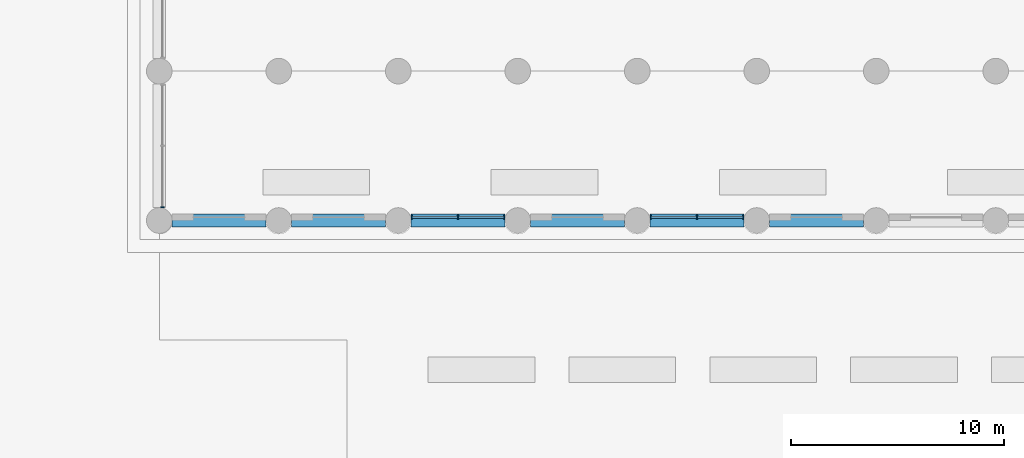
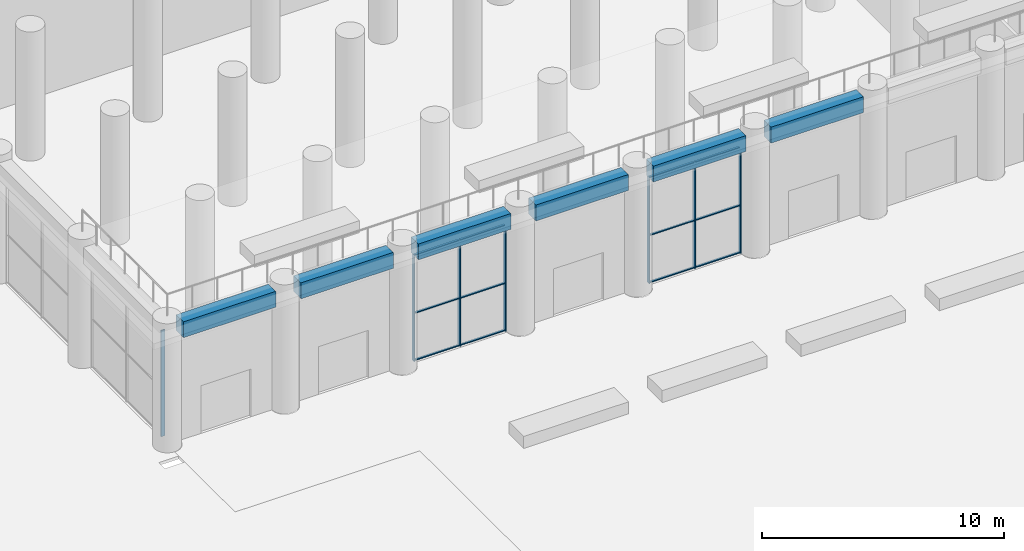
# One storey, part 3 of 51: 19 members, 6 beams, 3 elements without a shape of their own.
"""IFC4 building model written with IfcOpenShell, lengths in metres."""

from ifc_helpers import new_model, si_unit, direction, frame, origin, origin_2d, place, context, subcontext, project, spatial, rectangle, extrude, material, layer, layer_set, material_profile, profile_set, type_object, element, aggregate, save


model = new_model("IFC4")

# Units and contexts
model_context = context("Model", 3, precision=1e-05, world=origin(), true_north=direction((0.0, 1.0)))
body_context = subcontext(model_context, "Body", "Model", "MODEL_VIEW")
ifc_project = project(units=[si_unit("LENGTHUNIT", "METRE"), si_unit("AREAUNIT", "SQUARE_METRE"), si_unit("VOLUMEUNIT", "CUBIC_METRE"), si_unit("PLANEANGLEUNIT", "RADIAN"), si_unit("MASSUNIT", "GRAM", prefix="KILO")], contexts=[model_context])

# Site, building, storey
site_placement = place(None, origin())
site = spatial("IfcSite", under=ifc_project, at=site_placement, CompositionType="ELEMENT")
building_placement = place(site_placement, origin())
building = spatial("IfcBuilding", under=site, at=building_placement, Name="Kiln Ring Residences", CompositionType="ELEMENT")
storey_placement = place(building_placement, origin())
storey = spatial("IfcBuildingStorey", under=building, at=storey_placement, Name="L00", CompositionType="ELEMENT", Elevation=0.0)

# Curtain wall, member
ifc_material_1 = material(Name="Aluminium and glass", Category="aluminium")
ifc_layer = layer(ifc_material_1, 0.179931640625)
ifc_layer_set = layer_set([ifc_layer], Name="CW2 CURTAIN WALL")
curtain_wall_type = type_object("IfcCurtainWallType", Name="CW2 CURTAIN WALL", PredefinedType="NOTDEFINED", material=ifc_layer_set)
placement = place(storey_placement, origin())
curtain_wall_1 = element("IfcCurtainWall", 1, at=placement, inside=storey, type_object=curtain_wall_type, Name="Curtain wall CW2 L00", PredefinedType="NOTDEFINED")
ifc_material_2 = material(Name="Aluminium 6063-T6", Category="aluminium")
ifc_material_profile_1 = material_profile(ifc_material_2, rectangle(XDim=0.179931640625, YDim=0.050048828125, at=origin_2d()), Name="AL 180x50")
ifc_profile_set_1 = profile_set([ifc_material_profile_1], Name="Aluminium 6063-T6")
member_type_1 = type_object("IfcMemberType", Name="CW2 MULLION 180 x 50", PredefinedType="MULLION", material=ifc_profile_set_1)
member_1_placement = place(storey_placement, frame((-44.64990234375, -63.77490234375, 0.0), z_axis=(0.0, 0.0, 1.0), x_axis=(1.0, 0.0, 0.0)))
member_1 = element("IfcMember", 2, at=member_1_placement, type_object=member_type_1, Name="CW2 mullion 3", PredefinedType="MULLION", context=body_context, shape_type="SweptSolid", body=[
    extrude(rectangle(XDim=0.179931640625, YDim=0.050048828125, at=origin_2d()), origin(), (0.0, 0.0, 1.0), 5.35009765625),
])
aggregate(curtain_wall_1, [member_1])

# Curtain wall, members
curtain_wall_2 = element("IfcCurtainWall", 3, at=placement, inside=storey, type_object=curtain_wall_type, Name="Curtain wall CW2 L00", PredefinedType="NOTDEFINED")
member_2_placement = place(storey_placement, frame((-32.97509765625, -64.25, 0.0), z_axis=(0.0, 0.0, 1.0), x_axis=(0.0, 1.0, 0.0)))
member_2 = element("IfcMember", 4, at=member_2_placement, type_object=member_type_1, Name="CW2 mullion 1", PredefinedType="MULLION", context=body_context, shape_type="SweptSolid", body=[
    extrude(rectangle(XDim=0.179931640625, YDim=0.050048828125, at=origin_2d()), origin(), (0.0, 0.0, 1.0), 5.35009765625),
])
member_3_placement = place(storey_placement, frame((-30.800048828125, -64.25, 0.0), z_axis=(0.0, 0.0, 1.0), x_axis=(0.0, 1.0, 0.0)))
member_3 = element("IfcMember", 5, at=member_3_placement, type_object=member_type_1, Name="CW2 mullion 2", PredefinedType="MULLION", context=body_context, shape_type="SweptSolid", body=[
    extrude(rectangle(XDim=0.179931640625, YDim=0.050048828125, at=origin_2d()), origin(), (0.0, 0.0, 1.0), 5.35009765625),
])
member_4_placement = place(storey_placement, frame((-28.625, -64.25, 0.0), z_axis=(0.0, 0.0, 1.0), x_axis=(0.0, 1.0, 0.0)))
member_4 = element("IfcMember", 6, at=member_4_placement, type_object=member_type_1, Name="CW2 mullion 3", PredefinedType="MULLION", context=body_context, shape_type="SweptSolid", body=[
    extrude(rectangle(XDim=0.179931640625, YDim=0.050048828125, at=origin_2d()), origin(), (0.0, 0.0, 1.0), 5.35009765625),
])

curtain_wall_3 = element("IfcCurtainWall", 7, at=placement, inside=storey, type_object=curtain_wall_type, Name="Curtain wall CW2 L00", PredefinedType="NOTDEFINED")
member_5_placement = place(storey_placement, frame((-21.77490234375, -64.25, 0.0), z_axis=(0.0, 0.0, 1.0), x_axis=(0.0, 1.0, 0.0)))
member_5 = element("IfcMember", 8, at=member_5_placement, type_object=member_type_1, Name="CW2 mullion 1", PredefinedType="MULLION", context=body_context, shape_type="SweptSolid", body=[
    extrude(rectangle(XDim=0.179931640625, YDim=0.050048828125, at=origin_2d()), origin(), (0.0, 0.0, 1.0), 5.35009765625),
])
member_6_placement = place(storey_placement, frame((-19.60009765625, -64.25, 0.0), z_axis=(0.0, 0.0, 1.0), x_axis=(0.0, 1.0, 0.0)))
member_6 = element("IfcMember", 9, at=member_6_placement, type_object=member_type_1, Name="CW2 mullion 2", PredefinedType="MULLION", context=body_context, shape_type="SweptSolid", body=[
    extrude(rectangle(XDim=0.179931640625, YDim=0.050048828125, at=origin_2d()), origin(), (0.0, 0.0, 1.0), 5.35009765625),
])
member_7_placement = place(storey_placement, frame((-17.425048828125, -64.25, 0.0), z_axis=(0.0, 0.0, 1.0), x_axis=(0.0, 1.0, 0.0)))
member_7 = element("IfcMember", 10, at=member_7_placement, type_object=member_type_1, Name="CW2 mullion 3", PredefinedType="MULLION", context=body_context, shape_type="SweptSolid", body=[
    extrude(rectangle(XDim=0.179931640625, YDim=0.050048828125, at=origin_2d()), origin(), (0.0, 0.0, 1.0), 5.35009765625),
])

# Member
ifc_material_3 = material(Name="Aluminium 6063-T6", Category="aluminium")
ifc_material_profile_2 = material_profile(ifc_material_3, rectangle(XDim=0.10009765625, YDim=0.050048828125, at=origin_2d()), Name="AL 100x50")
ifc_profile_set_2 = profile_set([ifc_material_profile_2], Name="Aluminium 6063-T6")
member_type_2 = type_object("IfcMemberType", Name="CW2 TRANSOM 100 x 50", PredefinedType="USERDEFINED", material=ifc_profile_set_2)
member_8_placement = place(storey_placement, frame((-32.949951171875, -64.25, 0.02490234375), z_axis=(1.0, 0.0, 0.0), x_axis=(0.0, 1.0, 0.0)))
member_8 = element("IfcMember", 11, at=member_8_placement, type_object=member_type_2, Name="CW2 transom 1.1", ObjectType="TRANSOM", PredefinedType="USERDEFINED", context=body_context, shape_type="SweptSolid", body=[
    extrude(rectangle(XDim=0.10009765625, YDim=0.050048828125, at=origin_2d()), origin(), (0.0, 0.0, 1.0), 2.125),
])

member_9_placement = place(storey_placement, frame((-32.949951171875, -64.25, 2.39990234375), z_axis=(1.0, 0.0, 0.0), x_axis=(0.0, 1.0, 0.0)))
member_9 = element("IfcMember", 12, at=member_9_placement, type_object=member_type_2, Name="CW2 transom 1.2", ObjectType="TRANSOM", PredefinedType="USERDEFINED", context=body_context, shape_type="SweptSolid", body=[
    extrude(rectangle(XDim=0.10009765625, YDim=0.050048828125, at=origin_2d()), origin(), (0.0, 0.0, 1.0), 2.125),
])

member_10_placement = place(storey_placement, frame((-32.949951171875, -64.25, 5.324951171875), z_axis=(1.0, 0.0, 0.0), x_axis=(0.0, 1.0, 0.0)))
member_10 = element("IfcMember", 13, at=member_10_placement, type_object=member_type_2, Name="CW2 transom 1.3", ObjectType="TRANSOM", PredefinedType="USERDEFINED", context=body_context, shape_type="SweptSolid", body=[
    extrude(rectangle(XDim=0.10009765625, YDim=0.050048828125, at=origin_2d()), origin(), (0.0, 0.0, 1.0), 2.125),
])

member_11_placement = place(storey_placement, frame((-30.77490234375, -64.25, 0.02490234375), z_axis=(1.0, 0.0, 0.0), x_axis=(0.0, 1.0, 0.0)))
member_11 = element("IfcMember", 14, at=member_11_placement, type_object=member_type_2, Name="CW2 transom 2.1", ObjectType="TRANSOM", PredefinedType="USERDEFINED", context=body_context, shape_type="SweptSolid", body=[
    extrude(rectangle(XDim=0.10009765625, YDim=0.050048828125, at=origin_2d()), origin(), (0.0, 0.0, 1.0), 2.125),
])

member_12_placement = place(storey_placement, frame((-30.77490234375, -64.25, 2.39990234375), z_axis=(1.0, 0.0, 0.0), x_axis=(0.0, 1.0, 0.0)))
member_12 = element("IfcMember", 15, at=member_12_placement, type_object=member_type_2, Name="CW2 transom 2.2", ObjectType="TRANSOM", PredefinedType="USERDEFINED", context=body_context, shape_type="SweptSolid", body=[
    extrude(rectangle(XDim=0.10009765625, YDim=0.050048828125, at=origin_2d()), origin(), (0.0, 0.0, 1.0), 2.125),
])

member_13_placement = place(storey_placement, frame((-30.77490234375, -64.25, 5.324951171875), z_axis=(1.0, 0.0, 0.0), x_axis=(0.0, 1.0, 0.0)))
member_13 = element("IfcMember", 16, at=member_13_placement, type_object=member_type_2, Name="CW2 transom 2.3", ObjectType="TRANSOM", PredefinedType="USERDEFINED", context=body_context, shape_type="SweptSolid", body=[
    extrude(rectangle(XDim=0.10009765625, YDim=0.050048828125, at=origin_2d()), origin(), (0.0, 0.0, 1.0), 2.125),
])

aggregate(curtain_wall_2, [member_2, member_3, member_4, member_8, member_9, member_10, member_11, member_12, member_13])

member_14_placement = place(storey_placement, frame((-21.75, -64.25, 0.02490234375), z_axis=(1.0, 0.0, 0.0), x_axis=(0.0, 1.0, 0.0)))
member_14 = element("IfcMember", 17, at=member_14_placement, type_object=member_type_2, Name="CW2 transom 1.1", ObjectType="TRANSOM", PredefinedType="USERDEFINED", context=body_context, shape_type="SweptSolid", body=[
    extrude(rectangle(XDim=0.10009765625, YDim=0.050048828125, at=origin_2d()), origin(), (0.0, 0.0, 1.0), 2.125),
])

member_15_placement = place(storey_placement, frame((-21.75, -64.25, 2.39990234375), z_axis=(1.0, 0.0, 0.0), x_axis=(0.0, 1.0, 0.0)))
member_15 = element("IfcMember", 18, at=member_15_placement, type_object=member_type_2, Name="CW2 transom 1.2", ObjectType="TRANSOM", PredefinedType="USERDEFINED", context=body_context, shape_type="SweptSolid", body=[
    extrude(rectangle(XDim=0.10009765625, YDim=0.050048828125, at=origin_2d()), origin(), (0.0, 0.0, 1.0), 2.125),
])

member_16_placement = place(storey_placement, frame((-21.75, -64.25, 5.324951171875), z_axis=(1.0, 0.0, 0.0), x_axis=(0.0, 1.0, 0.0)))
member_16 = element("IfcMember", 19, at=member_16_placement, type_object=member_type_2, Name="CW2 transom 1.3", ObjectType="TRANSOM", PredefinedType="USERDEFINED", context=body_context, shape_type="SweptSolid", body=[
    extrude(rectangle(XDim=0.10009765625, YDim=0.050048828125, at=origin_2d()), origin(), (0.0, 0.0, 1.0), 2.125),
])

member_17_placement = place(storey_placement, frame((-19.574951171875, -64.25, 0.02490234375), z_axis=(1.0, 0.0, 0.0), x_axis=(0.0, 1.0, 0.0)))
member_17 = element("IfcMember", 20, at=member_17_placement, type_object=member_type_2, Name="CW2 transom 2.1", ObjectType="TRANSOM", PredefinedType="USERDEFINED", context=body_context, shape_type="SweptSolid", body=[
    extrude(rectangle(XDim=0.10009765625, YDim=0.050048828125, at=origin_2d()), origin(), (0.0, 0.0, 1.0), 2.125),
])

member_18_placement = place(storey_placement, frame((-19.574951171875, -64.25, 2.39990234375), z_axis=(1.0, 0.0, 0.0), x_axis=(0.0, 1.0, 0.0)))
member_18 = element("IfcMember", 21, at=member_18_placement, type_object=member_type_2, Name="CW2 transom 2.2", ObjectType="TRANSOM", PredefinedType="USERDEFINED", context=body_context, shape_type="SweptSolid", body=[
    extrude(rectangle(XDim=0.10009765625, YDim=0.050048828125, at=origin_2d()), origin(), (0.0, 0.0, 1.0), 2.125),
])

member_19_placement = place(storey_placement, frame((-19.574951171875, -64.25, 5.324951171875), z_axis=(1.0, 0.0, 0.0), x_axis=(0.0, 1.0, 0.0)))
member_19 = element("IfcMember", 22, at=member_19_placement, type_object=member_type_2, Name="CW2 transom 2.3", ObjectType="TRANSOM", PredefinedType="USERDEFINED", context=body_context, shape_type="SweptSolid", body=[
    extrude(rectangle(XDim=0.10009765625, YDim=0.050048828125, at=origin_2d()), origin(), (0.0, 0.0, 1.0), 2.125),
])

aggregate(curtain_wall_3, [member_5, member_6, member_7, member_14, member_15, member_16, member_17, member_18, member_19])

# Beams
ifc_material_4 = material(Name="Concrete C50/60", Category="concrete")
ifc_material_profile_3 = material_profile(ifc_material_4, rectangle(XDim=0.60009765625, YDim=0.800048828125, at=origin_2d()), Name="RC600x800")
ifc_profile_set_3 = profile_set([ifc_material_profile_3], Name="Concrete C50/60")
beam_type = type_object("IfcBeamType", Name="Ring beam RC600x800 C50/60", PredefinedType="BEAM", material=ifc_profile_set_3)
beam_1_placement = place(storey_placement, frame((-44.199951171875, -64.39990234375, 5.75), z_axis=(1.0, 0.0, 0.0), x_axis=(0.0, 1.0, 0.0)))
element("IfcBeam", 23, at=beam_1_placement, inside=storey, type_object=beam_type, Name="Ring beam L00 1", PredefinedType="BEAM", context=body_context, shape_type="SweptSolid", body=[
    extrude(rectangle(XDim=0.60009765625, YDim=0.800048828125, at=origin_2d()), origin(), (0.0, 0.0, 1.0), 4.39990234375),
])
beam_2_placement = place(storey_placement, frame((-38.60009765625, -64.39990234375, 5.75), z_axis=(1.0, 0.0, 0.0), x_axis=(0.0, 1.0, 0.0)))
element("IfcBeam", 24, at=beam_2_placement, inside=storey, type_object=beam_type, Name="Ring beam L00 2", PredefinedType="BEAM", context=body_context, shape_type="SweptSolid", body=[
    extrude(rectangle(XDim=0.60009765625, YDim=0.800048828125, at=origin_2d()), origin(), (0.0, 0.0, 1.0), 4.400146484375),
])
for number, where, z_axis, x_axis, name in (
    (25, (-33.0, -64.39990234375, 5.75), (1.0, 0.0, 0.0), (0.0, 1.0, 0.0), "Ring beam L00 3"),
    (26, (-27.39990234375, -64.39990234375, 5.75), (1.0, 0.0, 0.0), (0.0, 1.0, 0.0), "Ring beam L00 4"),
):
    element("IfcBeam", number, at=place(storey_placement, frame(where, z_axis=z_axis, x_axis=x_axis)), inside=storey, type_object=beam_type, Name=name, PredefinedType="BEAM", context=body_context, shape_type="SweptSolid", body=[
        extrude(rectangle(XDim=0.60009765625, YDim=0.800048828125, at=origin_2d()), origin(), (0.0, 0.0, 1.0), 4.39990234375),
    ])
beam_3_placement = place(storey_placement, frame((-21.800048828125, -64.39990234375, 5.75), z_axis=(1.0, 0.0, 0.0), x_axis=(0.0, 1.0, 0.0)))
element("IfcBeam", 27, at=beam_3_placement, inside=storey, type_object=beam_type, Name="Ring beam L00 5", PredefinedType="BEAM", context=body_context, shape_type="SweptSolid", body=[
    extrude(rectangle(XDim=0.60009765625, YDim=0.800048828125, at=origin_2d()), origin(), (0.0, 0.0, 1.0), 4.400146484375),
])
beam_4_placement = place(storey_placement, frame((-16.199951171875, -64.39990234375, 5.75), z_axis=(1.0, 0.0, 0.0), x_axis=(0.0, 1.0, 0.0)))
element("IfcBeam", 28, at=beam_4_placement, inside=storey, type_object=beam_type, Name="Ring beam L00 6", PredefinedType="BEAM", context=body_context, shape_type="SweptSolid", body=[
    extrude(rectangle(XDim=0.60009765625, YDim=0.800048828125, at=origin_2d()), origin(), (0.0, 0.0, 1.0), 4.39990234375),
])

save(model, "model.ifc")
